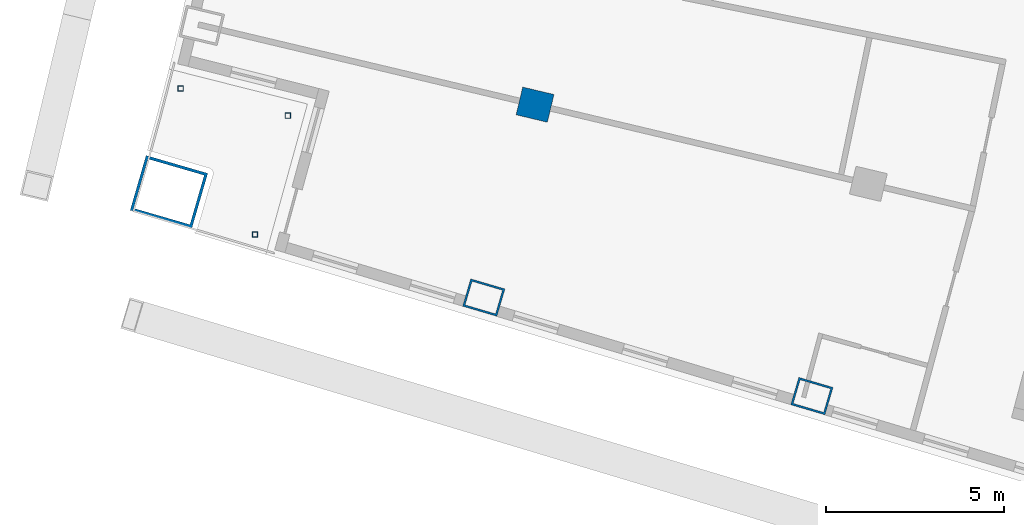
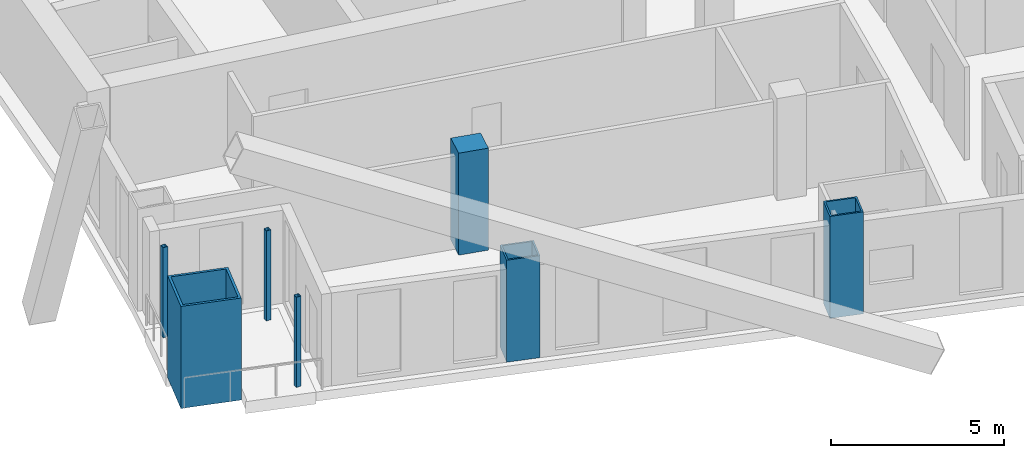
# One storey, part 1 of 20: 7 columns.
"""IFC4 building model written with IfcOpenShell, lengths in metres."""

from ifc_helpers import new_model, si_unit, direction, frame, origin, origin_2d, place, context, subcontext, project, spatial, rectangle, hollow_rectangle, extrude, material, material_profile, profile_set, type_object, element, save


model = new_model("IFC4")

# Units and contexts
model_context = context("Model", 3, precision=1e-05, world=origin(), true_north=direction((0.0, 1.0)))
body_context = subcontext(model_context, "Body", "Model", "MODEL_VIEW")
ifc_project = project(units=[si_unit("LENGTHUNIT", "METRE"), si_unit("AREAUNIT", "SQUARE_METRE"), si_unit("VOLUMEUNIT", "CUBIC_METRE"), si_unit("PLANEANGLEUNIT", "RADIAN"), si_unit("MASSUNIT", "GRAM", prefix="KILO")], contexts=[model_context])

# Site, building, storey
site_placement = place(None, origin())
site = spatial("IfcSite", under=ifc_project, at=site_placement, CompositionType="ELEMENT")
building_placement = place(site_placement, origin())
building = spatial("IfcBuilding", under=site, at=building_placement, Name="Alderwake Tower", CompositionType="ELEMENT")
storey_placement = place(building_placement, frame((0.0, 0.0, 149.60009765625)))
storey = spatial("IfcBuildingStorey", under=building, at=storey_placement, Name="L36", CompositionType="ELEMENT", Elevation=149.60009765625)

# Columns
ifc_material_1 = material(Name="Steel ASTM A572 Grade 50 concrete filled C70/85", Category="concrete")
ifc_material_profile_1 = material_profile(ifc_material_1, hollow_rectangle(XDim=0.800048828125, YDim=1.0, WallThickness=0.054931640625, at=origin_2d()), Name="BOX 1000X800X55")
ifc_profile_set_1 = profile_set([ifc_material_profile_1], Name="Steel ASTM A572 Grade 50 concrete filled C70/85")
column_type_1 = type_object("IfcColumnType", Name="End column Z3", PredefinedType="COLUMN", material=ifc_profile_set_1)
for number, where, z_axis, x_axis, name in (
    (1, (21.885498046875, 31.03759765625, 0.0), (0.0, 0.0, 1.0), (0.282132160283, 0.95937554906, 0.0), "Column R02-C1"),
    (2, (31.080322265625, 28.27685546875, 0.0), (0.0, 0.0, 1.0), (0.282582549822, 0.959242984095, 0.0), "Column R02-C2"),
):
    element("IfcColumn", number, at=place(storey_placement, frame(where, z_axis=z_axis, x_axis=x_axis)), inside=storey, type_object=column_type_1, Name=name, PredefinedType="COLUMN", context=body_context, shape_type="SweptSolid", body=[
        extrude(hollow_rectangle(XDim=0.800048828125, YDim=1.0, WallThickness=0.054931640625, at=origin_2d()), origin(), (0.0, 0.0, 1.0), 3.599853515625),
    ])
ifc_material_2 = material(Name="Concrete C70/85", Category="concrete")
ifc_material_profile_2 = material_profile(ifc_material_2, rectangle(XDim=0.800048828125, YDim=0.89990234375, at=origin_2d()), Name="RC 900X800")
ifc_profile_set_2 = profile_set([ifc_material_profile_2], Name="Concrete C70/85")
column_type_2 = type_object("IfcColumnType", Name="Interior column Z3", PredefinedType="COLUMN", material=ifc_profile_set_2)
column_1_placement = place(storey_placement, frame((23.322021484375, 36.444091796875, 0.0), z_axis=(0.0, 0.0, 1.0), x_axis=(0.231221547198, 0.972901123502, 0.0)))
element("IfcColumn", 3, at=column_1_placement, inside=storey, type_object=column_type_2, Name="Column R03-C1", PredefinedType="COLUMN", context=body_context, shape_type="SweptSolid", body=[
    extrude(rectangle(XDim=0.800048828125, YDim=0.89990234375, at=origin_2d()), origin(), (0.0, 0.0, 1.0), 3.599853515625),
])
ifc_material_3 = material(Name="Steel ASTM A500 Grade C", Category="steel")
ifc_material_profile_3 = material_profile(ifc_material_3, hollow_rectangle(XDim=0.15234375, YDim=0.15234375, WallThickness=0.0087890625, at=origin_2d()), Name="HSS6X6X3/8")
ifc_profile_set_3 = profile_set([ifc_material_profile_3], Name="Steel ASTM A500 Grade C")
column_type_3 = type_object("IfcColumnType", Name="Light post HSS6X6X3/8", PredefinedType="COLUMN", material=ifc_profile_set_3)
for number, where, z_axis, x_axis, name in (
    (4, (13.3896484375, 36.896484375, 0.0), (0.0, 0.0, 1.0), (1.0, 0.0, 0.0), "Terrace post RS1"),
    (5, (15.47412109375, 32.805908203125, 0.0), (0.0, 0.0, 1.0), (1.0, 0.0, 0.0), "Terrace post RS2"),
    (6, (16.39501953125, 36.135986328125, 0.0), (0.0, 0.0, 1.0), (1.0, 0.0, 0.0), "Terrace post RS3"),
):
    element("IfcColumn", number, at=place(storey_placement, frame(where, z_axis=z_axis, x_axis=x_axis)), inside=storey, type_object=column_type_3, Name=name, PredefinedType="COLUMN", context=body_context, shape_type="SweptSolid", body=[
        extrude(hollow_rectangle(XDim=0.15234375, YDim=0.15234375, WallThickness=0.0087890625, at=origin_2d()), origin(), (0.0, 0.0, 1.0), 3.179931640625),
    ])
ifc_material_4 = material(Name="Steel ASTM A572 Grade 50 concrete filled C70/85", Category="concrete")
ifc_material_profile_4 = material_profile(ifc_material_4, hollow_rectangle(XDim=1.60009765625, YDim=1.800048828125, WallThickness=0.080078125, at=origin_2d()), Name="BOX 1800X1600X80")
ifc_profile_set_4 = profile_set([ifc_material_profile_4], Name="Steel ASTM A572 Grade 50 concrete filled C70/85")
column_type_4 = type_object("IfcColumnType", Name="Mega column Z3", PredefinedType="COLUMN", material=ifc_profile_set_4)
column_2_placement = place(storey_placement, frame((13.06298828125, 34.00244140625, 0.0), z_axis=(0.0, 0.0, 1.0), x_axis=(0.278612301868, 0.960403657452, 0.0)))
element("IfcColumn", 7, at=column_2_placement, inside=storey, type_object=column_type_4, Name="Column R02-C0", PredefinedType="COLUMN", context=body_context, shape_type="SweptSolid", body=[
    extrude(hollow_rectangle(XDim=1.60009765625, YDim=1.800048828125, WallThickness=0.080078125, at=origin_2d()), origin(), (0.0, 0.0, 1.0), 3.599853515625),
])

save(model, "model.ifc")
